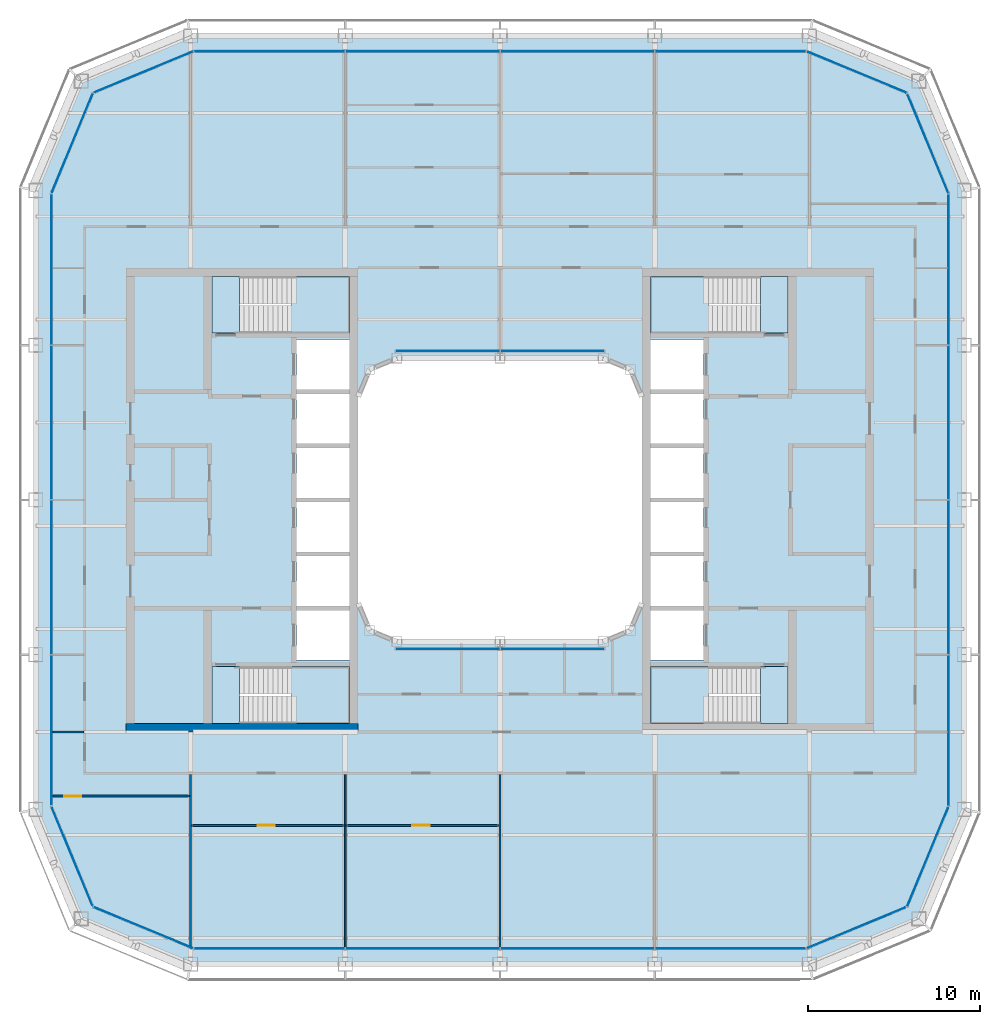
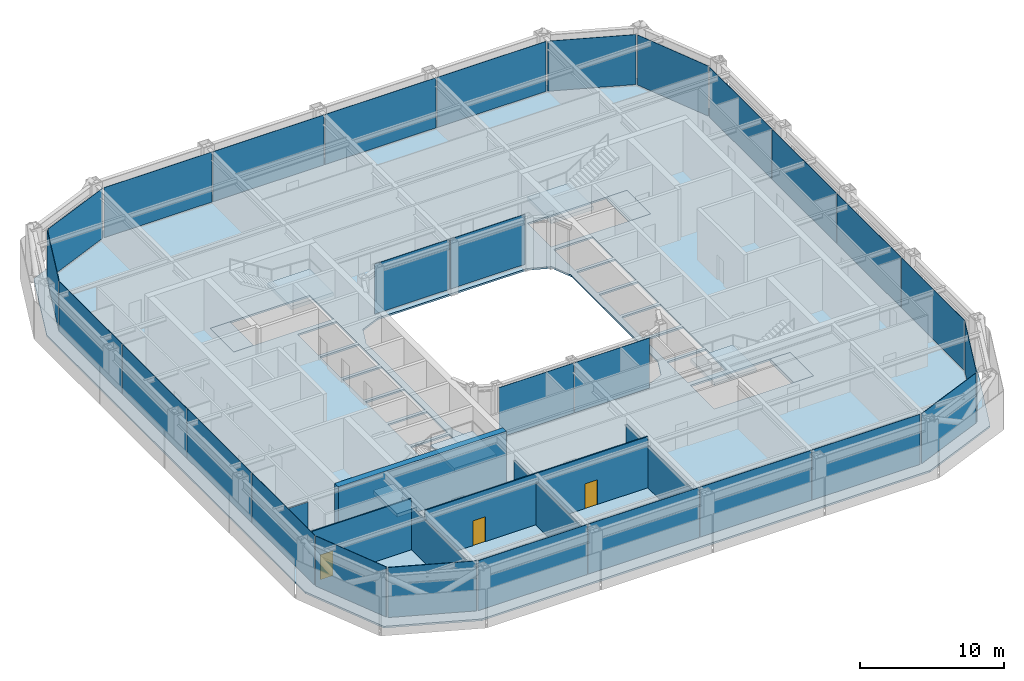
# One storey, part 11 of 19: 28 plates, 9 slabs, 8 walls, 3 doors, 3 openings, 18 elements without a shape of their own.
"""IFC4 building model written with IfcOpenShell, lengths in metres."""

from ifc_helpers import new_model, si_unit, direction, frame, frame_2d, origin, origin_2d, place, context, subcontext, project, spatial, polyline, rectangle, outline, extrude, material, layer, layer_set, type_object, element, fill, aggregate, save


model = new_model("IFC4")

# Units and contexts
model_context = context("Model", 3, precision=1e-05, world=origin(), true_north=direction((0.0, 1.0)))
body_context = subcontext(model_context, "Body", "Model", "MODEL_VIEW")
ifc_project = project(units=[si_unit("LENGTHUNIT", "METRE"), si_unit("AREAUNIT", "SQUARE_METRE"), si_unit("VOLUMEUNIT", "CUBIC_METRE"), si_unit("PLANEANGLEUNIT", "RADIAN"), si_unit("MASSUNIT", "GRAM", prefix="KILO")], contexts=[model_context])

# Site, building, storey
site_placement = place(None, origin())
site = spatial("IfcSite", under=ifc_project, at=site_placement, CompositionType="ELEMENT")
building_placement = place(site_placement, origin())
building = spatial("IfcBuilding", under=site, at=building_placement, Name="Siwar Civic Tower", CompositionType="ELEMENT")
storey_placement = place(building_placement, frame((0.0, 0.0, 210.699951171875)))
storey = spatial("IfcBuildingStorey", under=building, at=storey_placement, Name="L45", CompositionType="ELEMENT", Elevation=210.699951171875)

# Stair, slabs
ifc_material_1 = material(Name="Concrete C40/50", Category="concrete")
stair_type = type_object("IfcStairType", Name="CORE-STAIR", PredefinedType="TWO_STRAIGHT_RUN_STAIR", material=ifc_material_1)
stair_1_placement = place(storey_placement, origin())
stair_1 = element("IfcStair", 1, at=stair_1_placement, inside=storey, type_object=stair_type, Name="Exit stair ST1", PredefinedType="TWO_STRAIGHT_RUN_STAIR")
ifc_material_2 = material(Name="Concrete C40/50", Category="concrete")
ifc_layer_1 = layer(ifc_material_2, 0.300048828125)
ifc_layer_set_1 = layer_set([ifc_layer_1], Name="Concrete C40/50")
slab_type_1 = type_object("IfcSlabType", Name="CORE-STAIR-LANDING", PredefinedType="LANDING", material=ifc_layer_set_1)
slab_1_placement = place(storey_placement, frame((0.0, 0.0, -0.300048828125)))
slab_1 = element("IfcSlab", 2, at=slab_1_placement, type_object=slab_type_1, Name="ST1 landing 1", PredefinedType="LANDING", context=body_context, shape_type="SweptSolid", body=[
    extrude(outline(polyline([(-15.14990234375, 13.0), (-16.75, 13.0), (-16.75, 9.699951171875), (-15.14990234375, 9.699951171875), (-15.14990234375, 13.0)])), origin(), (0.0, 0.0, 1.0), 0.300048828125),
])
slab_2_placement = place(storey_placement, frame((0.0, 0.0, 1.949951171875)))
slab_2 = element("IfcSlab", 3, at=slab_2_placement, type_object=slab_type_1, Name="ST1 landing 2", PredefinedType="LANDING", context=body_context, shape_type="SweptSolid", body=[
    extrude(outline(polyline([(-8.75, 13.0), (-12.139892578125, 13.0), (-12.139892578125, 9.699951171875), (-8.75, 9.699951171875), (-8.75, 13.0)])), origin(), (0.0, 0.0, 1.0), 0.300048828125),
])
aggregate(stair_1, [slab_1, slab_2])

stair_2_placement = place(storey_placement, origin())
stair_2 = element("IfcStair", 4, at=stair_2_placement, inside=storey, type_object=stair_type, Name="Exit stair ST2", PredefinedType="TWO_STRAIGHT_RUN_STAIR")
slab_3_placement = place(storey_placement, frame((0.0, 0.0, -0.300048828125)))
slab_3 = element("IfcSlab", 5, at=slab_3_placement, type_object=slab_type_1, Name="ST2 landing 1", PredefinedType="LANDING", context=body_context, shape_type="SweptSolid", body=[
    extrude(outline(polyline([(-15.14990234375, -9.699951171875), (-16.75, -9.699951171875), (-16.75, -13.0), (-15.14990234375, -13.0), (-15.14990234375, -9.699951171875)])), origin(), (0.0, 0.0, 1.0), 0.300048828125),
])
slab_4_placement = place(storey_placement, frame((0.0, 0.0, 1.949951171875)))
slab_4 = element("IfcSlab", 6, at=slab_4_placement, type_object=slab_type_1, Name="ST2 landing 2", PredefinedType="LANDING", context=body_context, shape_type="SweptSolid", body=[
    extrude(outline(polyline([(-8.75, -9.699951171875), (-12.139892578125, -9.699951171875), (-12.139892578125, -13.0), (-8.75, -13.0), (-8.75, -9.699951171875)])), origin(), (0.0, 0.0, 1.0), 0.300048828125),
])
aggregate(stair_2, [slab_3, slab_4])

stair_3_placement = place(storey_placement, origin())
stair_3 = element("IfcStair", 7, at=stair_3_placement, inside=storey, type_object=stair_type, Name="Exit stair ST3", PredefinedType="TWO_STRAIGHT_RUN_STAIR")
slab_5_placement = place(storey_placement, frame((0.0, 0.0, -0.300048828125)))
slab_5 = element("IfcSlab", 8, at=slab_5_placement, type_object=slab_type_1, Name="ST3 landing 1", PredefinedType="LANDING", context=body_context, shape_type="SweptSolid", body=[
    extrude(outline(polyline([(15.14990234375, 9.699951171875), (16.75, 9.699951171875), (16.75, 13.0), (15.14990234375, 13.0), (15.14990234375, 9.699951171875)])), origin(), (0.0, 0.0, 1.0), 0.300048828125),
])
slab_6_placement = place(storey_placement, frame((0.0, 0.0, 1.949951171875)))
slab_6 = element("IfcSlab", 9, at=slab_6_placement, type_object=slab_type_1, Name="ST3 landing 2", PredefinedType="LANDING", context=body_context, shape_type="SweptSolid", body=[
    extrude(outline(polyline([(8.75, 9.699951171875), (12.139892578125, 9.699951171875), (12.139892578125, 13.0), (8.75, 13.0), (8.75, 9.699951171875)])), origin(), (0.0, 0.0, 1.0), 0.300048828125),
])
aggregate(stair_3, [slab_5, slab_6])

stair_4_placement = place(storey_placement, origin())
stair_4 = element("IfcStair", 10, at=stair_4_placement, inside=storey, type_object=stair_type, Name="Exit stair ST4", PredefinedType="TWO_STRAIGHT_RUN_STAIR")
slab_7_placement = place(storey_placement, frame((0.0, 0.0, -0.300048828125)))
slab_7 = element("IfcSlab", 11, at=slab_7_placement, type_object=slab_type_1, Name="ST4 landing 1", PredefinedType="LANDING", context=body_context, shape_type="SweptSolid", body=[
    extrude(outline(polyline([(15.14990234375, -13.0), (16.75, -13.0), (16.75, -9.699951171875), (15.14990234375, -9.699951171875), (15.14990234375, -13.0)])), origin(), (0.0, 0.0, 1.0), 0.300048828125),
])
slab_8_placement = place(storey_placement, frame((0.0, 0.0, 1.949951171875)))
slab_8 = element("IfcSlab", 12, at=slab_8_placement, type_object=slab_type_1, Name="ST4 landing 2", PredefinedType="LANDING", context=body_context, shape_type="SweptSolid", body=[
    extrude(outline(polyline([(8.75, -13.0), (12.139892578125, -13.0), (12.139892578125, -9.699951171875), (8.75, -9.699951171875), (8.75, -13.0)])), origin(), (0.0, 0.0, 1.0), 0.300048828125),
])
aggregate(stair_4, [slab_7, slab_8])

# Curtain wall, plates
ifc_material_3 = material(Name="Aluminium and glass", Category="aluminium")
ifc_layer_2 = layer(ifc_material_3, 0.179931640625)
ifc_layer_set_2 = layer_set([ifc_layer_2], Name="Aluminium and glass")
curtain_wall_type_1 = type_object("IfcCurtainWallType", Name="ENV-CW-C", PredefinedType="NOTDEFINED", material=ifc_layer_set_2)
curtain_wall_1_placement = place(storey_placement, origin())
curtain_wall_1 = element("IfcCurtainWall", 13, at=curtain_wall_1_placement, inside=storey, type_object=curtain_wall_type_1, Name="Curtain wall C S", PredefinedType="NOTDEFINED")
ifc_material_4 = material(Name="Glass clear laminated", Category="glass")
ifc_layer_3 = layer(ifc_material_4, 0.031982421875)
ifc_layer_set_3 = layer_set([ifc_layer_3], Name="Glass clear laminated")
plate_type_1 = type_object("IfcPlateType", Name="ENV-PANEL-C", PredefinedType="CURTAIN_PANEL", material=ifc_layer_set_3)
plate_1_placement = place(storey_placement, frame((-13.410400390625, -26.10009765625, 0.10009765625), z_axis=(0.0, 0.0, 1.0), x_axis=(1.0, 0.0, 0.0)))
plate_1 = element("IfcPlate", 14, at=plate_1_placement, type_object=plate_type_1, Name="Curtain panel C S 1", PredefinedType="CURTAIN_PANEL", context=body_context, shape_type="SweptSolid", body=[
    extrude(rectangle(XDim=8.760986328125, YDim=0.031982421875, at=origin_2d()), origin(), (0.0, 0.0, 1.0), 4.25),
])
plate_2_placement = place(storey_placement, frame((-4.5, -26.10009765625, 0.10009765625), z_axis=(0.0, 0.0, 1.0), x_axis=(1.0, 0.0, 0.0)))
plate_2 = element("IfcPlate", 15, at=plate_2_placement, type_object=plate_type_1, Name="Curtain panel C S 2", PredefinedType="CURTAIN_PANEL", context=body_context, shape_type="SweptSolid", body=[
    extrude(rectangle(XDim=8.93994140625, YDim=0.031982421875, at=origin_2d()), origin(), (0.0, 0.0, 1.0), 4.25),
])
plate_3_placement = place(storey_placement, frame((4.5, -26.10009765625, 0.10009765625), z_axis=(0.0, 0.0, 1.0), x_axis=(1.0, 0.0, 0.0)))
plate_3 = element("IfcPlate", 16, at=plate_3_placement, type_object=plate_type_1, Name="Curtain panel C S 3", PredefinedType="CURTAIN_PANEL", context=body_context, shape_type="SweptSolid", body=[
    extrude(rectangle(XDim=8.93994140625, YDim=0.031982421875, at=origin_2d()), origin(), (0.0, 0.0, 1.0), 4.25),
])
plate_4_placement = place(storey_placement, frame((13.373046875, -26.10009765625, 0.10009765625), z_axis=(0.0, 0.0, 1.0), x_axis=(1.0, 0.0, 0.0)))
plate_4 = element("IfcPlate", 17, at=plate_4_placement, type_object=plate_type_1, Name="Curtain panel C S 4", PredefinedType="CURTAIN_PANEL", context=body_context, shape_type="SweptSolid", body=[
    extrude(rectangle(XDim=8.68603515625, YDim=0.031982421875, at=origin_2d()), origin(), (0.0, 0.0, 1.0), 4.25),
])
aggregate(curtain_wall_1, [plate_1, plate_2, plate_3, plate_4])

curtain_wall_2_placement = place(storey_placement, origin())
curtain_wall_2 = element("IfcCurtainWall", 18, at=curtain_wall_2_placement, inside=storey, type_object=curtain_wall_type_1, Name="Curtain wall C E", PredefinedType="NOTDEFINED")
plate_5_placement = place(storey_placement, frame((26.10009765625, -13.410400390625, 0.10009765625), z_axis=(0.0, 0.0, 1.0), x_axis=(0.0, 1.0, 0.0)))
plate_5 = element("IfcPlate", 19, at=plate_5_placement, type_object=plate_type_1, Name="Curtain panel C E 1", PredefinedType="CURTAIN_PANEL", context=body_context, shape_type="SweptSolid", body=[
    extrude(rectangle(XDim=8.760986328125, YDim=0.031982421875, at=origin_2d()), origin(), (0.0, 0.0, 1.0), 4.25),
])
plate_6_placement = place(storey_placement, frame((26.10009765625, -4.5, 0.10009765625), z_axis=(0.0, 0.0, 1.0), x_axis=(0.0, 1.0, 0.0)))
plate_6 = element("IfcPlate", 20, at=plate_6_placement, type_object=plate_type_1, Name="Curtain panel C E 2", PredefinedType="CURTAIN_PANEL", context=body_context, shape_type="SweptSolid", body=[
    extrude(rectangle(XDim=8.93994140625, YDim=0.031982421875, at=origin_2d()), origin(), (0.0, 0.0, 1.0), 4.25),
])
plate_7_placement = place(storey_placement, frame((26.10009765625, 4.5, 0.10009765625), z_axis=(0.0, 0.0, 1.0), x_axis=(0.0, 1.0, 0.0)))
plate_7 = element("IfcPlate", 21, at=plate_7_placement, type_object=plate_type_1, Name="Curtain panel C E 3", PredefinedType="CURTAIN_PANEL", context=body_context, shape_type="SweptSolid", body=[
    extrude(rectangle(XDim=8.93994140625, YDim=0.031982421875, at=origin_2d()), origin(), (0.0, 0.0, 1.0), 4.25),
])
plate_8_placement = place(storey_placement, frame((26.10009765625, 13.373046875, 0.10009765625), z_axis=(0.0, 0.0, 1.0), x_axis=(0.0, 1.0, 0.0)))
plate_8 = element("IfcPlate", 22, at=plate_8_placement, type_object=plate_type_1, Name="Curtain panel C E 4", PredefinedType="CURTAIN_PANEL", context=body_context, shape_type="SweptSolid", body=[
    extrude(rectangle(XDim=8.68603515625, YDim=0.031982421875, at=origin_2d()), origin(), (0.0, 0.0, 1.0), 4.25),
])
aggregate(curtain_wall_2, [plate_5, plate_6, plate_7, plate_8])

curtain_wall_3_placement = place(storey_placement, origin())
curtain_wall_3 = element("IfcCurtainWall", 23, at=curtain_wall_3_placement, inside=storey, type_object=curtain_wall_type_1, Name="Curtain wall C N", PredefinedType="NOTDEFINED")
plate_9_placement = place(storey_placement, frame((13.410400390625, 26.10009765625, 0.10009765625), z_axis=(0.0, 0.0, 1.0), x_axis=(-1.0, 0.0, 0.0)))
plate_9 = element("IfcPlate", 24, at=plate_9_placement, type_object=plate_type_1, Name="Curtain panel C N 1", PredefinedType="CURTAIN_PANEL", context=body_context, shape_type="SweptSolid", body=[
    extrude(rectangle(XDim=8.760986328125, YDim=0.031982421875, at=origin_2d()), origin(), (0.0, 0.0, 1.0), 4.25),
])
plate_10_placement = place(storey_placement, frame((4.5, 26.10009765625, 0.10009765625), z_axis=(0.0, 0.0, 1.0), x_axis=(-1.0, 0.0, 0.0)))
plate_10 = element("IfcPlate", 25, at=plate_10_placement, type_object=plate_type_1, Name="Curtain panel C N 2", PredefinedType="CURTAIN_PANEL", context=body_context, shape_type="SweptSolid", body=[
    extrude(rectangle(XDim=8.93994140625, YDim=0.031982421875, at=origin_2d()), origin(), (0.0, 0.0, 1.0), 4.25),
])
plate_11_placement = place(storey_placement, frame((-4.5, 26.10009765625, 0.10009765625), z_axis=(0.0, 0.0, 1.0), x_axis=(-1.0, 0.0, 0.0)))
plate_11 = element("IfcPlate", 26, at=plate_11_placement, type_object=plate_type_1, Name="Curtain panel C N 3", PredefinedType="CURTAIN_PANEL", context=body_context, shape_type="SweptSolid", body=[
    extrude(rectangle(XDim=8.93994140625, YDim=0.031982421875, at=origin_2d()), origin(), (0.0, 0.0, 1.0), 4.25),
])
plate_12_placement = place(storey_placement, frame((-13.373046875, 26.10009765625, 0.10009765625), z_axis=(0.0, 0.0, 1.0), x_axis=(-1.0, 0.0, 0.0)))
plate_12 = element("IfcPlate", 27, at=plate_12_placement, type_object=plate_type_1, Name="Curtain panel C N 4", PredefinedType="CURTAIN_PANEL", context=body_context, shape_type="SweptSolid", body=[
    extrude(rectangle(XDim=8.68603515625, YDim=0.031982421875, at=origin_2d()), origin(), (0.0, 0.0, 1.0), 4.25),
])
aggregate(curtain_wall_3, [plate_9, plate_10, plate_11, plate_12])

curtain_wall_4_placement = place(storey_placement, origin())
curtain_wall_4 = element("IfcCurtainWall", 28, at=curtain_wall_4_placement, inside=storey, type_object=curtain_wall_type_1, Name="Curtain wall C W", PredefinedType="NOTDEFINED")
plate_13_placement = place(storey_placement, frame((-26.10009765625, 13.410400390625, 0.10009765625), z_axis=(0.0, 0.0, 1.0), x_axis=(0.0, -1.0, 0.0)))
plate_13 = element("IfcPlate", 29, at=plate_13_placement, type_object=plate_type_1, Name="Curtain panel C W 1", PredefinedType="CURTAIN_PANEL", context=body_context, shape_type="SweptSolid", body=[
    extrude(rectangle(XDim=8.760986328125, YDim=0.031982421875, at=origin_2d()), origin(), (0.0, 0.0, 1.0), 4.25),
])
plate_14_placement = place(storey_placement, frame((-26.10009765625, 4.5, 0.10009765625), z_axis=(0.0, 0.0, 1.0), x_axis=(0.0, -1.0, 0.0)))
plate_14 = element("IfcPlate", 30, at=plate_14_placement, type_object=plate_type_1, Name="Curtain panel C W 2", PredefinedType="CURTAIN_PANEL", context=body_context, shape_type="SweptSolid", body=[
    extrude(rectangle(XDim=8.93994140625, YDim=0.031982421875, at=origin_2d()), origin(), (0.0, 0.0, 1.0), 4.25),
])
plate_15_placement = place(storey_placement, frame((-26.10009765625, -4.5, 0.10009765625), z_axis=(0.0, 0.0, 1.0), x_axis=(0.0, -1.0, 0.0)))
plate_15 = element("IfcPlate", 31, at=plate_15_placement, type_object=plate_type_1, Name="Curtain panel C W 3", PredefinedType="CURTAIN_PANEL", context=body_context, shape_type="SweptSolid", body=[
    extrude(rectangle(XDim=8.93994140625, YDim=0.031982421875, at=origin_2d()), origin(), (0.0, 0.0, 1.0), 4.25),
])
plate_16_placement = place(storey_placement, frame((-26.10009765625, -13.373046875, 0.10009765625), z_axis=(0.0, 0.0, 1.0), x_axis=(0.0, -1.0, 0.0)))
plate_16 = element("IfcPlate", 32, at=plate_16_placement, type_object=plate_type_1, Name="Curtain panel C W 4", PredefinedType="CURTAIN_PANEL", context=body_context, shape_type="SweptSolid", body=[
    extrude(rectangle(XDim=8.68603515625, YDim=0.031982421875, at=origin_2d()), origin(), (0.0, 0.0, 1.0), 4.25),
])
aggregate(curtain_wall_4, [plate_13, plate_14, plate_15, plate_16])

# Curtain wall, plate
ifc_material_5 = material(Name="Aluminium clad insulated panel", Category="aluminium")
ifc_layer_4 = layer(ifc_material_5, 0.179931640625)
ifc_layer_set_4 = layer_set([ifc_layer_4], Name="Aluminium clad insulated panel")
curtain_wall_type_2 = type_object("IfcCurtainWallType", Name="ENV-CW-CX", PredefinedType="NOTDEFINED", material=ifc_layer_set_4)
curtain_wall_5_placement = place(storey_placement, origin())
curtain_wall_5 = element("IfcCurtainWall", 33, at=curtain_wall_5_placement, inside=storey, type_object=curtain_wall_type_2, Name="Curtain wall C SE1", PredefinedType="NOTDEFINED")
ifc_material_6 = material(Name="Aluminium clad insulated panel", Category="aluminium")
ifc_layer_5 = layer(ifc_material_6, 0.031982421875)
ifc_layer_set_5 = layer_set([ifc_layer_5], Name="Aluminium clad insulated panel")
plate_type_2 = type_object("IfcPlateType", Name="ENV-PANEL-CX", PredefinedType="CURTAIN_PANEL", material=ifc_layer_set_5)
plate_17_placement = place(storey_placement, frame((20.71337890625, -24.90185546875, 0.10009765625), z_axis=(0.0, 0.0, 1.0), x_axis=(0.923879532511, 0.382683432365, 0.0)))
plate_17 = element("IfcPlate", 34, at=plate_17_placement, type_object=plate_type_2, Name="Curtain panel C SE1 1", PredefinedType="CURTAIN_PANEL", context=body_context, shape_type="SweptSolid", body=[
    extrude(rectangle(XDim=6.20166015625, YDim=0.031982421875, at=origin_2d()), origin(), (0.0, 0.0, 1.0), 4.25),
])
aggregate(curtain_wall_5, [plate_17])

curtain_wall_6_placement = place(storey_placement, origin())
curtain_wall_6 = element("IfcCurtainWall", 35, at=curtain_wall_6_placement, inside=storey, type_object=curtain_wall_type_2, Name="Curtain wall C SE2", PredefinedType="NOTDEFINED")
plate_18_placement = place(storey_placement, frame((24.873291015625, -20.78271484375, 0.10009765625), z_axis=(0.0, 0.0, 1.0), x_axis=(0.382683432365, 0.923879532511, 0.0)))
plate_18 = element("IfcPlate", 36, at=plate_18_placement, type_object=plate_type_2, Name="Curtain panel C SE2 1", PredefinedType="CURTAIN_PANEL", context=body_context, shape_type="SweptSolid", body=[
    extrude(rectangle(XDim=6.20166015625, YDim=0.031982421875, at=origin_2d()), origin(), (0.0, 0.0, 1.0), 4.25),
])
aggregate(curtain_wall_6, [plate_18])

curtain_wall_7_placement = place(storey_placement, origin())
curtain_wall_7 = element("IfcCurtainWall", 37, at=curtain_wall_7_placement, inside=storey, type_object=curtain_wall_type_2, Name="Curtain wall C NE1", PredefinedType="NOTDEFINED")
plate_19_placement = place(storey_placement, frame((24.90185546875, 20.71337890625, 0.10009765625), z_axis=(0.0, 0.0, 1.0), x_axis=(-0.382683432365, 0.923879532511, 0.0)))
plate_19 = element("IfcPlate", 38, at=plate_19_placement, type_object=plate_type_2, Name="Curtain panel C NE1 1", PredefinedType="CURTAIN_PANEL", context=body_context, shape_type="SweptSolid", body=[
    extrude(rectangle(XDim=6.20166015625, YDim=0.031982421875, at=origin_2d()), origin(), (0.0, 0.0, 1.0), 4.25),
])
aggregate(curtain_wall_7, [plate_19])

curtain_wall_8_placement = place(storey_placement, origin())
curtain_wall_8 = element("IfcCurtainWall", 39, at=curtain_wall_8_placement, inside=storey, type_object=curtain_wall_type_2, Name="Curtain wall C NE2", PredefinedType="NOTDEFINED")
plate_20_placement = place(storey_placement, frame((20.78271484375, 24.873291015625, 0.10009765625), z_axis=(0.0, 0.0, 1.0), x_axis=(-0.923879532511, 0.382683432365, 0.0)))
plate_20 = element("IfcPlate", 40, at=plate_20_placement, type_object=plate_type_2, Name="Curtain panel C NE2 1", PredefinedType="CURTAIN_PANEL", context=body_context, shape_type="SweptSolid", body=[
    extrude(rectangle(XDim=6.20166015625, YDim=0.031982421875, at=origin_2d()), origin(), (0.0, 0.0, 1.0), 4.25),
])
aggregate(curtain_wall_8, [plate_20])

curtain_wall_9_placement = place(storey_placement, origin())
curtain_wall_9 = element("IfcCurtainWall", 41, at=curtain_wall_9_placement, inside=storey, type_object=curtain_wall_type_2, Name="Curtain wall C NW1", PredefinedType="NOTDEFINED")
plate_21_placement = place(storey_placement, frame((-20.71337890625, 24.90185546875, 0.10009765625), z_axis=(0.0, 0.0, 1.0), x_axis=(-0.923879532511, -0.382683432365, 0.0)))
plate_21 = element("IfcPlate", 42, at=plate_21_placement, type_object=plate_type_2, Name="Curtain panel C NW1 1", PredefinedType="CURTAIN_PANEL", context=body_context, shape_type="SweptSolid", body=[
    extrude(rectangle(XDim=6.20166015625, YDim=0.031982421875, at=origin_2d()), origin(), (0.0, 0.0, 1.0), 4.25),
])
aggregate(curtain_wall_9, [plate_21])

curtain_wall_10_placement = place(storey_placement, origin())
curtain_wall_10 = element("IfcCurtainWall", 43, at=curtain_wall_10_placement, inside=storey, type_object=curtain_wall_type_2, Name="Curtain wall C NW2", PredefinedType="NOTDEFINED")
plate_22_placement = place(storey_placement, frame((-24.873291015625, 20.78271484375, 0.10009765625), z_axis=(0.0, 0.0, 1.0), x_axis=(-0.382683432365, -0.923879532511, 0.0)))
plate_22 = element("IfcPlate", 44, at=plate_22_placement, type_object=plate_type_2, Name="Curtain panel C NW2 1", PredefinedType="CURTAIN_PANEL", context=body_context, shape_type="SweptSolid", body=[
    extrude(rectangle(XDim=6.20166015625, YDim=0.031982421875, at=origin_2d()), origin(), (0.0, 0.0, 1.0), 4.25),
])
aggregate(curtain_wall_10, [plate_22])

curtain_wall_11_placement = place(storey_placement, origin())
curtain_wall_11 = element("IfcCurtainWall", 45, at=curtain_wall_11_placement, inside=storey, type_object=curtain_wall_type_2, Name="Curtain wall C SW1", PredefinedType="NOTDEFINED")
plate_23_placement = place(storey_placement, frame((-24.90185546875, -20.71337890625, 0.10009765625), z_axis=(0.0, 0.0, 1.0), x_axis=(0.382683432365, -0.923879532511, 0.0)))
plate_23 = element("IfcPlate", 46, at=plate_23_placement, type_object=plate_type_2, Name="Curtain panel C SW1 1", PredefinedType="CURTAIN_PANEL", context=body_context, shape_type="SweptSolid", body=[
    extrude(rectangle(XDim=6.20166015625, YDim=0.031982421875, at=origin_2d()), origin(), (0.0, 0.0, 1.0), 4.25),
])
aggregate(curtain_wall_11, [plate_23])

curtain_wall_12_placement = place(storey_placement, origin())
curtain_wall_12 = element("IfcCurtainWall", 47, at=curtain_wall_12_placement, inside=storey, type_object=curtain_wall_type_2, Name="Curtain wall C SW2", PredefinedType="NOTDEFINED")
plate_24_placement = place(storey_placement, frame((-20.78271484375, -24.873291015625, 0.10009765625), z_axis=(0.0, 0.0, 1.0), x_axis=(0.923879532511, -0.382683432365, 0.0)))
plate_24 = element("IfcPlate", 48, at=plate_24_placement, type_object=plate_type_2, Name="Curtain panel C SW2 1", PredefinedType="CURTAIN_PANEL", context=body_context, shape_type="SweptSolid", body=[
    extrude(rectangle(XDim=6.20166015625, YDim=0.031982421875, at=origin_2d()), origin(), (0.0, 0.0, 1.0), 4.25),
])
aggregate(curtain_wall_12, [plate_24])

# Curtain wall, plates
ifc_material_7 = material(Name="Aluminium and glass", Category="aluminium")
ifc_layer_6 = layer(ifc_material_7, 0.179931640625)
ifc_layer_set_6 = layer_set([ifc_layer_6], Name="Aluminium and glass")
curtain_wall_type_3 = type_object("IfcCurtainWallType", Name="ENV-CW-W", PredefinedType="NOTDEFINED", material=ifc_layer_set_6)
curtain_wall_13_placement = place(storey_placement, origin())
curtain_wall_13 = element("IfcCurtainWall", 49, at=curtain_wall_13_placement, inside=storey, type_object=curtain_wall_type_3, Name="Curtain wall W WS", PredefinedType="NOTDEFINED")
ifc_material_8 = material(Name="Glass clear laminated", Category="glass")
ifc_layer_7 = layer(ifc_material_8, 0.031982421875)
ifc_layer_set_7 = layer_set([ifc_layer_7], Name="Glass clear laminated")
plate_type_3 = type_object("IfcPlateType", Name="ENV-PANEL-W", PredefinedType="CURTAIN_PANEL", material=ifc_layer_set_7)
plate_25_placement = place(storey_placement, frame((-3.040771484375, -8.659912109375, 0.10009765625), z_axis=(0.0, 0.0, 1.0), x_axis=(1.0, 0.0, 0.0)))
plate_25 = element("IfcPlate", 50, at=plate_25_placement, type_object=plate_type_3, Name="Curtain panel W WS 1", PredefinedType="CURTAIN_PANEL", context=body_context, shape_type="SweptSolid", body=[
    extrude(rectangle(XDim=6.021484375, YDim=0.031982421875, at=origin_2d()), origin(), (0.0, 0.0, 1.0), 4.25),
])
plate_26_placement = place(storey_placement, frame((3.040771484375, -8.659912109375, 0.10009765625), z_axis=(0.0, 0.0, 1.0), x_axis=(1.0, 0.0, 0.0)))
plate_26 = element("IfcPlate", 51, at=plate_26_placement, type_object=plate_type_3, Name="Curtain panel W WS 2", PredefinedType="CURTAIN_PANEL", context=body_context, shape_type="SweptSolid", body=[
    extrude(rectangle(XDim=6.021484375, YDim=0.031982421875, at=origin_2d()), origin(), (0.0, 0.0, 1.0), 4.25),
])
aggregate(curtain_wall_13, [plate_25, plate_26])

curtain_wall_14_placement = place(storey_placement, origin())
curtain_wall_14 = element("IfcCurtainWall", 52, at=curtain_wall_14_placement, inside=storey, type_object=curtain_wall_type_3, Name="Curtain wall W WN", PredefinedType="NOTDEFINED")
plate_27_placement = place(storey_placement, frame((3.040771484375, 8.659912109375, 0.10009765625), z_axis=(0.0, 0.0, 1.0), x_axis=(-1.0, 0.0, 0.0)))
plate_27 = element("IfcPlate", 53, at=plate_27_placement, type_object=plate_type_3, Name="Curtain panel W WN 1", PredefinedType="CURTAIN_PANEL", context=body_context, shape_type="SweptSolid", body=[
    extrude(rectangle(XDim=6.021484375, YDim=0.031982421875, at=origin_2d()), origin(), (0.0, 0.0, 1.0), 4.25),
])
plate_28_placement = place(storey_placement, frame((-3.040771484375, 8.659912109375, 0.10009765625), z_axis=(0.0, 0.0, 1.0), x_axis=(-1.0, 0.0, 0.0)))
plate_28 = element("IfcPlate", 54, at=plate_28_placement, type_object=plate_type_3, Name="Curtain panel W WN 2", PredefinedType="CURTAIN_PANEL", context=body_context, shape_type="SweptSolid", body=[
    extrude(rectangle(XDim=6.021484375, YDim=0.031982421875, at=origin_2d()), origin(), (0.0, 0.0, 1.0), 4.25),
])
aggregate(curtain_wall_14, [plate_27, plate_28])

# Slab
ifc_material_9 = material(Name="Concrete C40/50", Category="concrete")
ifc_layer_8 = layer(ifc_material_9, 0.14990234375)
ifc_layer_set_8 = layer_set([ifc_layer_8], Name="Concrete C40/50")
slab_type_2 = type_object("IfcSlabType", Name="STR-FLOOR-DECK-150", PredefinedType="FLOOR", material=ifc_layer_set_8)
slab_9_placement = place(storey_placement, frame((0.0, 0.0, -0.14990234375)))
element("IfcSlab", 55, at=slab_9_placement, inside=storey, type_object=slab_type_2, Name="L45/slab/1", PredefinedType="FLOOR", context=body_context, shape_type="SweptSolid", body=[
    extrude(outline(polyline([(-18.0, -27.0), (18.0, -27.0), (24.364013671875, -24.364013671875), (27.0, -18.0), (27.0, 18.0), (24.364013671875, 24.364013671875), (18.0, 27.0), (-18.0, 27.0), (-24.364013671875, 24.364013671875), (-27.0, 18.0), (-27.0, -18.0), (-24.364013671875, -24.364013671875), (-18.0, -27.0)]), holes=[polyline([(16.75, 13.0), (16.75, 9.699951171875), (8.75, 9.699951171875), (8.75, 13.0), (16.75, 13.0)]), polyline([(8.75, -9.699951171875), (16.75, -9.699951171875), (16.75, -13.0), (8.75, -13.0), (8.75, -9.699951171875)]), polyline([(11.85009765625, 9.324951171875), (11.85009765625, 6.425048828125), (8.75, 6.425048828125), (8.75, 9.324951171875), (11.85009765625, 9.324951171875)]), polyline([(8.75, 6.175048828125), (11.85009765625, 6.175048828125), (11.85009765625, 3.27490234375), (8.75, 3.27490234375), (8.75, 6.175048828125)]), polyline([(8.75, 3.02490234375), (11.85009765625, 3.02490234375), (11.85009765625, 0.125), (8.75, 0.125), (8.75, 3.02490234375)]), polyline([(8.75, -0.125), (11.85009765625, -0.125), (11.85009765625, -3.02490234375), (8.75, -3.02490234375), (8.75, -0.125)]), polyline([(8.75, -3.27490234375), (11.85009765625, -3.27490234375), (11.85009765625, -6.175048828125), (8.75, -6.175048828125), (8.75, -3.27490234375)]), polyline([(8.75, -6.425048828125), (11.85009765625, -6.425048828125), (11.85009765625, -9.324951171875), (8.75, -9.324951171875), (8.75, -6.425048828125)]), polyline([(-6.0, 8.25), (6.0, 8.25), (7.591064453125, 7.591064453125), (8.25, 6.0), (8.25, -6.0), (7.591064453125, -7.591064453125), (6.0, -8.25), (-6.0, -8.25), (-7.591064453125, -7.591064453125), (-8.25, -6.0), (-8.25, 6.0), (-7.591064453125, 7.591064453125), (-6.0, 8.25)]), polyline([(-8.75, -13.0), (-16.75, -13.0), (-16.75, -9.699951171875), (-8.75, -9.699951171875), (-8.75, -13.0)]), polyline([(-8.75, 9.699951171875), (-16.75, 9.699951171875), (-16.75, 13.0), (-8.75, 13.0), (-8.75, 9.699951171875)]), polyline([(-8.75, 6.425048828125), (-11.85009765625, 6.425048828125), (-11.85009765625, 9.324951171875), (-8.75, 9.324951171875), (-8.75, 6.425048828125)]), polyline([(-8.75, 3.27490234375), (-11.85009765625, 3.27490234375), (-11.85009765625, 6.175048828125), (-8.75, 6.175048828125), (-8.75, 3.27490234375)]), polyline([(-8.75, 0.125), (-11.85009765625, 0.125), (-11.85009765625, 3.02490234375), (-8.75, 3.02490234375), (-8.75, 0.125)]), polyline([(-8.75, -3.02490234375), (-11.85009765625, -3.02490234375), (-11.85009765625, -0.125), (-8.75, -0.125), (-8.75, -3.02490234375)]), polyline([(-8.75, -6.175048828125), (-11.85009765625, -6.175048828125), (-11.85009765625, -3.27490234375), (-8.75, -3.27490234375), (-8.75, -6.175048828125)]), polyline([(-8.75, -9.324951171875), (-11.85009765625, -9.324951171875), (-11.85009765625, -6.425048828125), (-8.75, -6.425048828125), (-8.75, -9.324951171875)])]), origin(), (0.0, 0.0, 1.0), 0.14990234375),
])

# Wall
ifc_material_10 = material(Name="Concrete C60/75", Category="concrete")
ifc_layer_9 = layer(ifc_material_10, 0.5)
ifc_layer_set_9 = layer_set([ifc_layer_9], Name="Concrete C60/75")
wall_type_1 = type_object("IfcWallType", Name="CORE-WALL-RC500", PredefinedType="SHEAR", material=ifc_layer_set_9)
wall_1_placement = place(storey_placement, frame((-8.25, -13.25, 0.0), z_axis=(0.0, 0.0, 1.0), x_axis=(-1.0, 0.0, 0.0)))
element("IfcWall", 56, at=wall_1_placement, inside=storey, type_object=wall_type_1, Name="Core wall W", PredefinedType="SHEAR", context=body_context, shape_type="SweptSolid", body=[
    extrude(rectangle(XDim=13.5, YDim=0.5, at=frame_2d((6.75, 0.0))), origin(), (0.0, 0.0, 1.0), 4.35009765625),
])

# Wall, openings, doors
ifc_material_11 = material(Name="Gypsum board on steel studs", Category="steel")
ifc_layer_10 = layer(ifc_material_11, 0.10009765625)
ifc_layer_set_10 = layer_set([ifc_layer_10], Name="Gypsum board on steel studs")
wall_type_2 = type_object("IfcWallType", Name="PARTITION 100 GYPSUM", PredefinedType="PARTITIONING", material=ifc_layer_set_10)
wall_2_placement = place(storey_placement, frame((-17.949951171875, -18.93310546875, 0.0), z_axis=(0.0, 0.0, 1.0), x_axis=(1.0, 0.0, 0.0)))
wall_2 = element("IfcWall", 57, at=wall_2_placement, inside=storey, type_object=wall_type_2, Name="L45/wall/P01", PredefinedType="PARTITIONING", context=body_context, shape_type="SweptSolid", body=[
    extrude(rectangle(XDim=17.89990234375, YDim=0.10009765625, at=frame_2d((8.949951171875, 0.0))), origin(), (0.0, 0.0, 1.0), 4.35009765625),
])
opening_1_placement = place(wall_2_placement, frame((3.85009765625, 0.0, 0.0)))
opening_1 = element("IfcOpeningElement", 58, at=opening_1_placement, cuts=wall_2, Name="Opening D2", PredefinedType="OPENING", context=body_context, shape_type="SweptSolid", body=[
    extrude(rectangle(XDim=1.0, YDim=2.10009765625, at=frame_2d((0.5, 1.050048828125))), frame((0.0, 0.06005859375, 0.0), z_axis=(0.0, -1.0, 0.0), x_axis=(1.0, 0.0, 0.0)), (0.0, 0.0, 1.0), 0.1201171875),
])
opening_2_placement = place(wall_2_placement, frame((12.85009765625, 0.0, 0.0)))
opening_2 = element("IfcOpeningElement", 59, at=opening_2_placement, cuts=wall_2, Name="Opening D2", PredefinedType="OPENING", context=body_context, shape_type="SweptSolid", body=[
    extrude(rectangle(XDim=1.0, YDim=2.10009765625, at=frame_2d((0.5, 1.050048828125))), frame((0.0, 0.06005859375, 0.0), z_axis=(0.0, -1.0, 0.0), x_axis=(1.0, 0.0, 0.0)), (0.0, 0.0, 1.0), 0.1201171875),
])
ifc_material_12 = material(Name="Timber, painted", Category="wood")
door_type = type_object("IfcDoorType", Name="DOOR 1000 X 2100", OperationType="SINGLE_SWING_LEFT", PredefinedType="DOOR", material=ifc_material_12)
door_1_placement = place(opening_1_placement, origin())
door_1 = element("IfcDoor", 60, at=door_1_placement, inside=storey, type_object=door_type, Name="L45-D10", OperationType="SINGLE_SWING_RIGHT", OverallHeight=2.10009765625, OverallWidth=1.0, PredefinedType="DOOR", context=body_context, shape_type="SweptSolid", body=[
    extrude(rectangle(XDim=1.0, YDim=2.10009765625, at=frame_2d((0.5, 1.050048828125))), frame((0.0, 0.02490234375, 0.0), z_axis=(0.0, -1.0, 0.0), x_axis=(1.0, 0.0, 0.0)), (0.0, 0.0, 1.0), 0.050048828125),
])
fill(opening_1, door_1)
door_2_placement = place(opening_2_placement, origin())
door_2 = element("IfcDoor", 61, at=door_2_placement, inside=storey, type_object=door_type, Name="L45-D12", OperationType="SINGLE_SWING_RIGHT", OverallHeight=2.10009765625, OverallWidth=1.0, PredefinedType="DOOR", context=body_context, shape_type="SweptSolid", body=[
    extrude(rectangle(XDim=1.0, YDim=2.10009765625, at=frame_2d((0.5, 1.050048828125))), frame((0.0, 0.02490234375, 0.0), z_axis=(0.0, -1.0, 0.0), x_axis=(1.0, 0.0, 0.0)), (0.0, 0.0, 1.0), 0.050048828125),
])
fill(opening_2, door_2)

# Wall, opening, door
wall_3_placement = place(storey_placement, frame((-26.010009765625, -17.22802734375, 0.0), z_axis=(0.0, 0.0, 1.0), x_axis=(1.0, 0.0, 0.0)))
wall_3 = element("IfcWall", 62, at=wall_3_placement, inside=storey, type_object=wall_type_2, Name="L45/wall/P02", PredefinedType="PARTITIONING", context=body_context, shape_type="SweptSolid", body=[
    extrude(rectangle(XDim=7.9599609375, YDim=0.10009765625, at=frame_2d((3.97998046875, 0.0))), origin(), (0.0, 0.0, 1.0), 4.35009765625),
])
opening_3_placement = place(wall_3_placement, frame((0.64990234375, 0.0, 0.0)))
opening_3 = element("IfcOpeningElement", 63, at=opening_3_placement, cuts=wall_3, Name="Opening D2", PredefinedType="OPENING", context=body_context, shape_type="SweptSolid", body=[
    extrude(rectangle(XDim=1.0, YDim=2.10009765625, at=frame_2d((0.5, 1.050048828125))), frame((0.0, 0.06005859375, 0.0), z_axis=(0.0, -1.0, 0.0), x_axis=(1.0, 0.0, 0.0)), (0.0, 0.0, 1.0), 0.1201171875),
])
door_3_placement = place(opening_3_placement, origin())
door_3 = element("IfcDoor", 64, at=door_3_placement, inside=storey, type_object=door_type, Name="L45-D19", OperationType="SINGLE_SWING_LEFT", OverallHeight=2.10009765625, OverallWidth=1.0, PredefinedType="DOOR", context=body_context, shape_type="SweptSolid", body=[
    extrude(rectangle(XDim=1.0, YDim=2.10009765625, at=frame_2d((0.5, 1.050048828125))), frame((0.0, 0.02490234375, 0.0), z_axis=(0.0, -1.0, 0.0), x_axis=(1.0, 0.0, 0.0)), (0.0, 0.0, 1.0), 0.050048828125),
])
fill(opening_3, door_3)

# Walls
wall_4_placement = place(storey_placement, frame((-26.010009765625, -13.5, 0.0), z_axis=(0.0, 0.0, 1.0), x_axis=(1.0, 0.0, 0.0)))
element("IfcWall", 65, at=wall_4_placement, inside=storey, type_object=wall_type_2, Name="L45/wall/P04", PredefinedType="PARTITIONING", context=body_context, shape_type="SweptSolid", body=[
    extrude(rectangle(XDim=1.784912109375, YDim=0.10009765625, at=frame_2d((0.892578125, 0.0))), origin(), (0.0, 0.0, 1.0), 3.949951171875),
])
wall_5_placement = place(storey_placement, frame((-18.0, -25.927978515625, 0.0), z_axis=(0.0, 0.0, 1.0), x_axis=(0.0, 1.0, 0.0)))
element("IfcWall", 66, at=wall_5_placement, inside=storey, type_object=wall_type_2, Name="L45/wall/P25", PredefinedType="PARTITIONING", context=body_context, shape_type="SweptSolid", body=[
    extrude(rectangle(XDim=9.952880859375, YDim=0.10009765625, at=frame_2d((4.9765625, 0.0))), origin(), (0.0, 0.0, 1.0), 3.650146484375),
])
wall_6_placement = place(storey_placement, frame((-9.0, -26.010009765625, 0.0), z_axis=(0.0, 0.0, 1.0), x_axis=(0.0, 1.0, 0.0)))
element("IfcWall", 67, at=wall_6_placement, inside=storey, type_object=wall_type_2, Name="L45/wall/P27", PredefinedType="PARTITIONING", context=body_context, shape_type="SweptSolid", body=[
    extrude(rectangle(XDim=7.027099609375, YDim=0.10009765625, at=frame_2d((3.513671875, 0.0))), origin(), (0.0, 0.0, 1.0), 3.650146484375),
])
wall_7_placement = place(storey_placement, frame((-9.0, -18.883056640625, 0.0), z_axis=(0.0, 0.0, 1.0), x_axis=(0.0, 1.0, 0.0)))
element("IfcWall", 68, at=wall_7_placement, inside=storey, type_object=wall_type_2, Name="L45/wall/P28", PredefinedType="PARTITIONING", context=body_context, shape_type="SweptSolid", body=[
    extrude(rectangle(XDim=2.907958984375, YDim=0.10009765625, at=frame_2d((1.4541015625, 0.0))), origin(), (0.0, 0.0, 1.0), 3.650146484375),
])
wall_8_placement = place(storey_placement, frame((0.0, -26.010009765625, 0.0), z_axis=(0.0, 0.0, 1.0), x_axis=(0.0, 1.0, 0.0)))
element("IfcWall", 69, at=wall_8_placement, inside=storey, type_object=wall_type_2, Name="L45/wall/P31", PredefinedType="PARTITIONING", context=body_context, shape_type="SweptSolid", body=[
    extrude(rectangle(XDim=10.034912109375, YDim=0.10009765625, at=frame_2d((5.017578125, 0.0))), origin(), (0.0, 0.0, 1.0), 3.550048828125),
])

save(model, "model.ifc")
